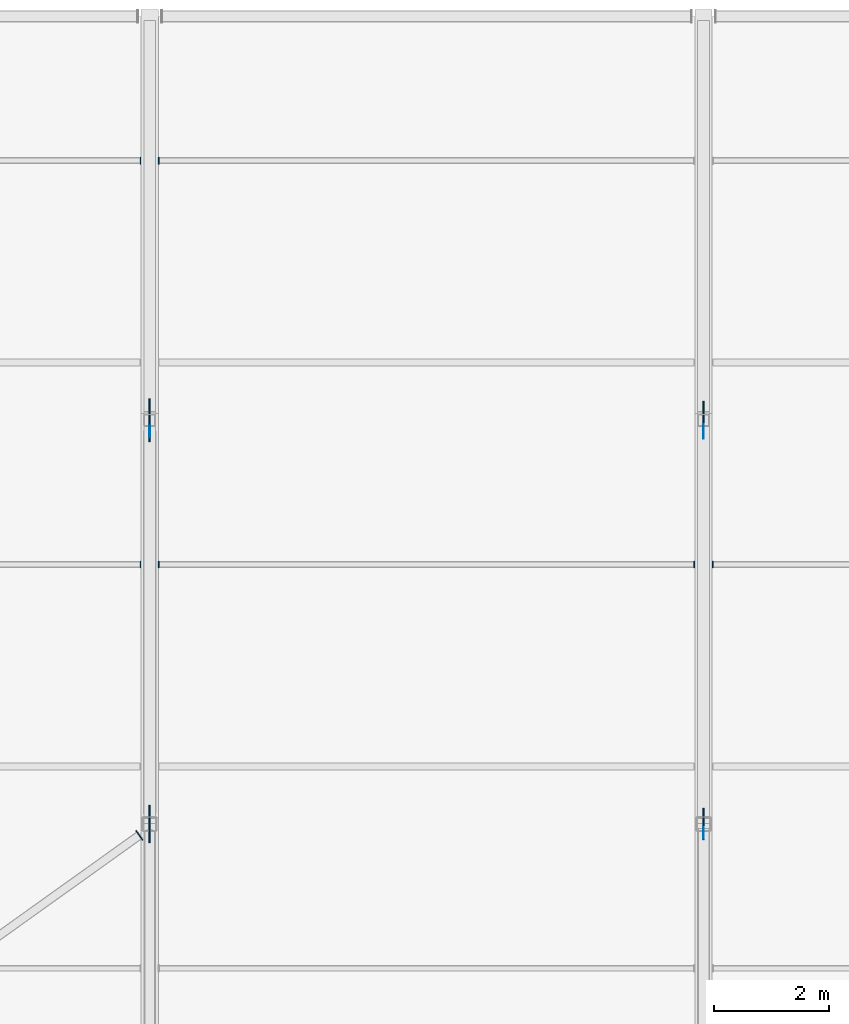
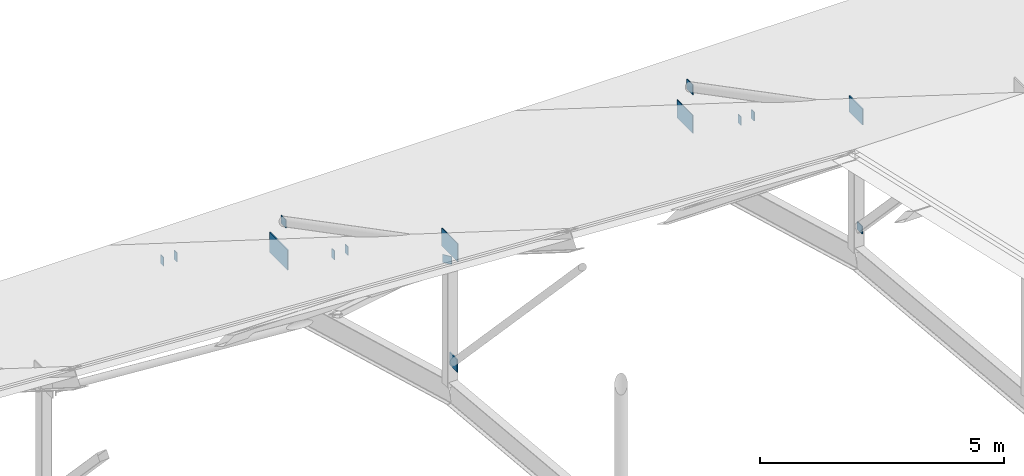
# One storey, part 57 of 66: 15 plates.
"""IFC4 building model written with IfcOpenShell, lengths in metres."""

from ifc_helpers import new_model, si_unit, direction, frame, origin, origin_2d, place, context, subcontext, project, spatial, rectangle, extrude, material, layer, layer_set, type_object, element, save


model = new_model("IFC4")

# Units and contexts
model_context = context("Model", 3, precision=1e-05, world=origin(), true_north=direction((0.0, 1.0)))
body_context = subcontext(model_context, "Body", "Model", "MODEL_VIEW")
ifc_project = project(units=[si_unit("LENGTHUNIT", "METRE"), si_unit("AREAUNIT", "SQUARE_METRE"), si_unit("VOLUMEUNIT", "CUBIC_METRE"), si_unit("PLANEANGLEUNIT", "RADIAN"), si_unit("MASSUNIT", "GRAM", prefix="KILO")], contexts=[model_context])

# Site, building, storey
site_placement = place(None, origin())
site = spatial("IfcSite", under=ifc_project, at=site_placement, CompositionType="ELEMENT")
building_placement = place(site_placement, origin())
building = spatial("IfcBuilding", under=site, at=building_placement, Name="Yeouljin Market Hall", CompositionType="ELEMENT")
storey_placement = place(building_placement, frame((0.0, 0.0, 23.39990234375)))
storey = spatial("IfcBuildingStorey", under=building, at=storey_placement, Name="RF", CompositionType="ELEMENT", Elevation=23.39990234375)

# Plates
ifc_material_1 = material(Name="Steel SM355", Category="steel")
ifc_layer_1 = layer(ifc_material_1, 0.01611328125)
ifc_layer_set_1 = layer_set([ifc_layer_1], Name="Steel SM355")
plate_type_1 = type_object("IfcPlateType", Name="CapPlate_200x200x16", PredefinedType="SHEET", material=ifc_layer_set_1)
for number, where, z_axis, x_axis, name in (
    (1, (112.199951171875, 70.804931640625, -7.142578125), (0.0, 0.0, 1.0), (0.0, 1.0, 0.0), "Hollow web end-cap plate 0036"),
    (2, (121.800048828125, 63.848876953125, -6.43994140625), (0.0, 0.0, 1.0), (0.0, 1.0, 0.0), "Hollow web end-cap plate 0039"),
    (3, (112.02001953125, 63.80419921875, -3.78271484375), (0.0, 0.0, 1.0), (-0.581697151818, 0.813405448449, 0.0), "Wind brace end-cap plate 0200"),
):
    element("IfcPlate", number, at=place(storey_placement, frame(where, z_axis=z_axis, x_axis=x_axis)), inside=storey, type_object=plate_type_1, Name=name, PredefinedType="SHEET", context=body_context, shape_type="SweptSolid", body=[
        extrude(rectangle(XDim=0.199951171875, YDim=0.01611328125, at=origin_2d()), origin(), (0.0, 0.0, 1.0), 0.199951171875),
    ])
ifc_material_2 = material(Name="Steel SM355", Category="steel")
ifc_layer_2 = layer(ifc_material_2, 0.01611328125)
ifc_layer_set_2 = layer_set([ifc_layer_2], Name="Steel SM355")
plate_type_2 = type_object("IfcPlateType", Name="CapPlate_220x120x16", PredefinedType="SHEET", material=ifc_layer_set_2)
for number, where, z_axis, x_axis, name in (
    (4, (112.0419921875, 68.5, -6.5185546875), (0.0, 0.0, 1.0), (0.0, 1.0, 0.0), "Purlin end-cap plate 0190"),
    (5, (112.0419921875, 75.5, -10.91845703125), (0.0, 0.0, 1.0), (0.0, 1.0, 0.0), "Purlin end-cap plate 0192"),
    (6, (112.35791015625, 68.5, -6.5185546875), (0.0, 0.0, 1.0), (0.0, 1.0, 0.0), "Purlin end-cap plate 0213"),
    (7, (121.64208984375, 68.5, -6.5185546875), (0.0, 0.0, 1.0), (0.0, 1.0, 0.0), "Purlin end-cap plate 0214"),
    (8, (112.35791015625, 75.5, -10.91845703125), (0.0, 0.0, 1.0), (0.0, 1.0, 0.0), "Purlin end-cap plate 0215"),
    (9, (121.9580078125, 68.5, -6.5185546875), (0.0, 0.0, 1.0), (0.0, 1.0, 0.0), "Purlin end-cap plate 0225"),
):
    element("IfcPlate", number, at=place(storey_placement, frame(where, z_axis=z_axis, x_axis=x_axis)), inside=storey, type_object=plate_type_2, Name=name, PredefinedType="SHEET", context=body_context, shape_type="SweptSolid", body=[
        extrude(rectangle(XDim=0.1201171875, YDim=0.01611328125, at=origin_2d()), origin(), (0.0, 0.0, 1.0), 0.219970703125),
    ])
ifc_material_3 = material(Name="Steel SM355", Category="steel")
ifc_layer_3 = layer(ifc_material_3, 0.01611328125)
ifc_layer_set_3 = layer_set([ifc_layer_3], Name="Steel SM355")
plate_type_3 = type_object("IfcPlateType", Name="CapPlate_250x250x16", PredefinedType="SHEET", material=ifc_layer_set_3)
plate_1_placement = place(storey_placement, frame((121.800048828125, 70.804931640625, -7.167724609375), z_axis=(0.0, 0.0, 1.0), x_axis=(0.0, 1.0, 0.0)))
element("IfcPlate", 10, at=plate_1_placement, inside=storey, type_object=plate_type_3, Name="Hollow web end-cap plate 0040", PredefinedType="SHEET", context=body_context, shape_type="SweptSolid", body=[
    extrude(rectangle(XDim=0.25, YDim=0.01611328125, at=origin_2d()), origin(), (0.0, 0.0, 1.0), 0.25),
])
ifc_material_4 = material(Name="Steel SM355", Category="steel")
ifc_layer_4 = layer(ifc_material_4, 0.02001953125)
ifc_layer_set_4 = layer_set([ifc_layer_4], Name="Steel SM355")
plate_type_4 = type_object("IfcPlateType", Name="CapPlate_320x320x20", PredefinedType="SHEET", material=ifc_layer_set_4)
plate_2_placement = place(storey_placement, frame((112.199951171875, 63.848876953125, -6.5), z_axis=(0.0, 0.0, 1.0), x_axis=(0.0, 1.0, 0.0)))
element("IfcPlate", 11, at=plate_2_placement, inside=storey, type_object=plate_type_4, Name="Hollow web end-cap plate 0035", PredefinedType="SHEET", context=body_context, shape_type="SweptSolid", body=[
    extrude(rectangle(XDim=0.320068359375, YDim=0.02001953125, at=origin_2d()), origin(), (0.0, 0.0, 1.0), 0.320068359375),
])
ifc_material_5 = material(Name="Steel SM355", Category="steel")
ifc_layer_5 = layer(ifc_material_5, 0.02001953125)
ifc_layer_set_5 = layer_set([ifc_layer_5], Name="Steel SM355")
plate_type_5 = type_object("IfcPlateType", Name="GussetPlate_550x400x20", PredefinedType="USERDEFINED", material=ifc_layer_set_5)
plate_3_placement = place(storey_placement, frame((121.800048828125, 64.0, -3.699951171875), z_axis=(0.0, 0.0, 1.0), x_axis=(0.0, 1.0, 0.0)))
element("IfcPlate", 12, at=plate_3_placement, inside=storey, type_object=plate_type_5, Name="Truss node gusset plate 049", ObjectType="GUSSET PLATE", PredefinedType="USERDEFINED", context=body_context, shape_type="SweptSolid", body=[
    extrude(rectangle(XDim=0.550048828125, YDim=0.02001953125, at=origin_2d()), origin(), (0.0, 0.0, 1.0), 0.39990234375),
])
ifc_material_6 = material(Name="Steel SM355", Category="steel")
ifc_layer_6 = layer(ifc_material_6, 0.02197265625)
ifc_layer_set_6 = layer_set([ifc_layer_6], Name="Steel SM355")
plate_type_6 = type_object("IfcPlateType", Name="GussetPlate_650x450x22", PredefinedType="USERDEFINED", material=ifc_layer_set_6)
for number, where, z_axis, x_axis, name in (
    (13, (112.199951171875, 64.0, -3.72509765625), (0.0, 0.0, 1.0), (0.0, 1.0, 0.0), "Truss node gusset plate 044"),
    (14, (121.800048828125, 71.0, -8.125), (0.0, 0.0, 1.0), (0.0, 1.0, 0.0), "Truss node gusset plate 050"),
):
    element("IfcPlate", number, at=place(storey_placement, frame(where, z_axis=z_axis, x_axis=x_axis)), inside=storey, type_object=plate_type_6, Name=name, ObjectType="GUSSET PLATE", PredefinedType="USERDEFINED", context=body_context, shape_type="SweptSolid", body=[
        extrude(rectangle(XDim=0.64990234375, YDim=0.02197265625, at=origin_2d()), origin(), (0.0, 0.0, 1.0), 0.449951171875),
    ])
ifc_material_7 = material(Name="Steel SM355", Category="steel")
ifc_layer_7 = layer(ifc_material_7, 0.02392578125)
ifc_layer_set_7 = layer_set([ifc_layer_7], Name="Steel SM355")
plate_type_7 = type_object("IfcPlateType", Name="GussetPlate_750x500x24", PredefinedType="USERDEFINED", material=ifc_layer_set_7)
plate_4_placement = place(storey_placement, frame((112.199951171875, 71.0, -8.14990234375), z_axis=(0.0, 0.0, 1.0), x_axis=(0.0, 1.0, 0.0)))
element("IfcPlate", 15, at=plate_4_placement, inside=storey, type_object=plate_type_7, Name="Truss node gusset plate 045", ObjectType="GUSSET PLATE", PredefinedType="USERDEFINED", context=body_context, shape_type="SweptSolid", body=[
    extrude(rectangle(XDim=0.75, YDim=0.02392578125, at=origin_2d()), origin(), (0.0, 0.0, 1.0), 0.5),
])

save(model, "model.ifc")
